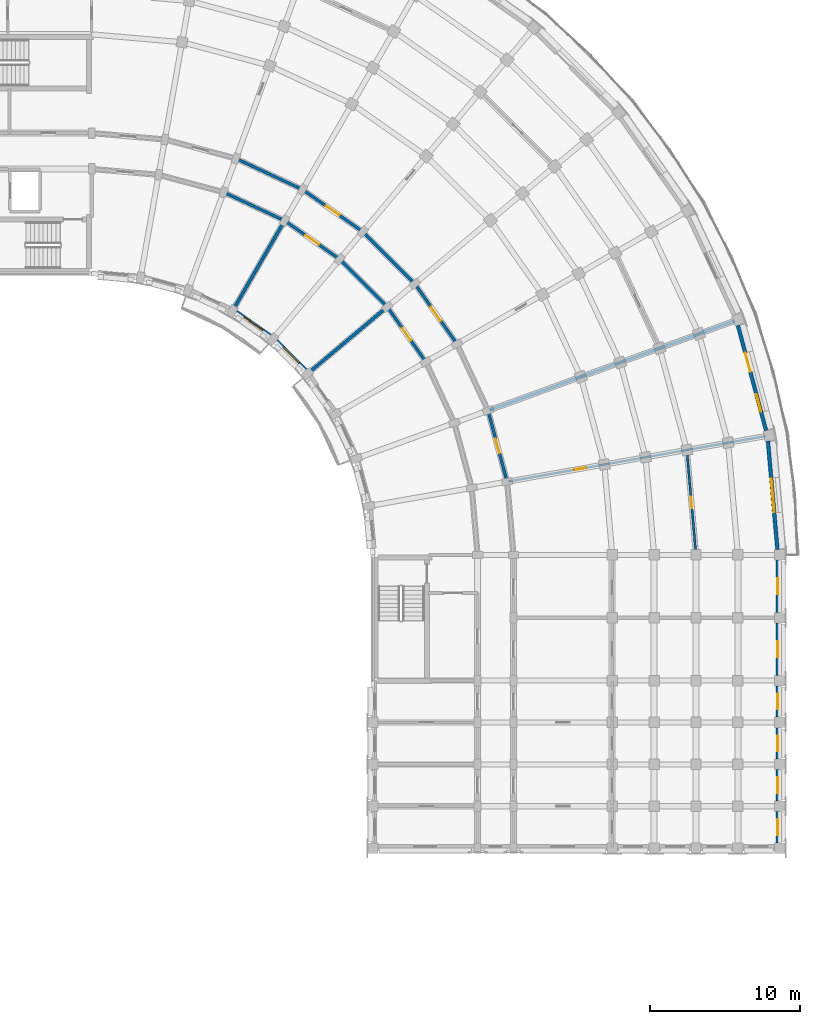
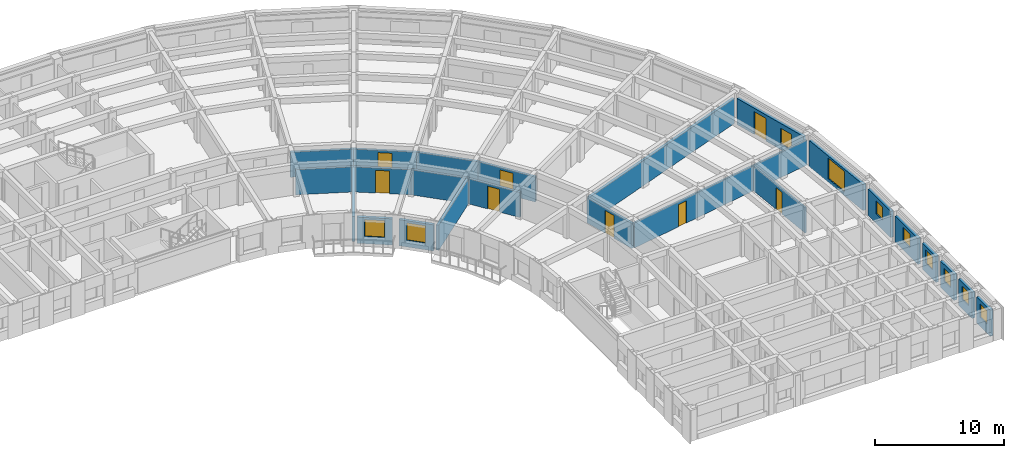
# One storey, part 35 of 57: 24 walls, 10 windows, 8 doors, 18 openings.
"""IFC4 building model written with IfcOpenShell, lengths in metres."""

from ifc_helpers import new_model, si_unit, direction, frame, frame_2d, origin, place, context, subcontext, project, spatial, rectangle, extrude, material, layer, layer_set, type_object, element, fill, save


model = new_model("IFC4")

# Units and contexts
model_context = context("Model", 3, precision=1e-05, world=origin(), true_north=direction((0.0, 1.0)))
body_context = subcontext(model_context, "Body", "Model", "MODEL_VIEW")
ifc_project = project(units=[si_unit("LENGTHUNIT", "METRE"), si_unit("AREAUNIT", "SQUARE_METRE"), si_unit("VOLUMEUNIT", "CUBIC_METRE"), si_unit("PLANEANGLEUNIT", "RADIAN"), si_unit("MASSUNIT", "GRAM", prefix="KILO")], contexts=[model_context])

# Site, building, storey
site_placement = place(None, origin())
site = spatial("IfcSite", under=ifc_project, at=site_placement, CompositionType="ELEMENT")
building_placement = place(site_placement, origin())
building = spatial("IfcBuilding", under=site, at=building_placement, Name="Kiranvali Square Residences", CompositionType="ELEMENT")
storey_placement = place(building_placement, frame((0.0, 0.0, 21.300048828125)))
storey = spatial("IfcBuildingStorey", under=building, at=storey_placement, Name="L06", CompositionType="ELEMENT", Elevation=21.300048828125)

# Walls
ifc_material_1 = material(Name="Autoclaved aerated concrete blockwork masonry", Category="masonry")
ifc_layer_1 = layer(ifc_material_1, 0.199951171875)
ifc_layer_set_1 = layer_set([ifc_layer_1], Name="Autoclaved aerated concrete blockwork masonry")
wall_type_1 = type_object("IfcWallType", Name="WL-COR-200", PredefinedType="STANDARD", material=ifc_layer_set_1)
wall_1_placement = place(storey_placement, frame((128.6240234375, 112.044189453125, 0.0), z_axis=(0.0, 0.0, 1.0), x_axis=(0.906307919131, -0.422617978463, 0.0)))
element("IfcWall", 1, at=wall_1_placement, inside=storey, type_object=wall_type_1, Name="L06 architectural wall WL-L06-B-CCI-2", PredefinedType="STANDARD", context=body_context, shape_type="SweptSolid", body=[
    extrude(rectangle(XDim=4.497314453125, YDim=0.199951171875, at=frame_2d((2.24853515625, 0.0))), origin(), (0.0, 0.0, 1.0), 2.3720703125),
])
wall_2_placement = place(storey_placement, frame((129.445068359375, 114.29931640625, 0.0), z_axis=(0.0, 0.0, 1.0), x_axis=(0.906302381024, -0.422629854778, 0.0)))
element("IfcWall", 2, at=wall_2_placement, inside=storey, type_object=wall_type_1, Name="L06 architectural wall WL-L06-B-CCO-2", PredefinedType="STANDARD", context=body_context, shape_type="SweptSolid", body=[
    extrude(rectangle(XDim=4.915283203125, YDim=0.199951171875, at=frame_2d((2.45751953125, 0.0))), origin(), (0.0, 0.0, 1.0), 2.3720703125),
])

# Wall, opening, door
wall_3_placement = place(storey_placement, frame((132.699951171875, 110.1435546875, 0.0), z_axis=(0.0, 0.0, 1.0), x_axis=(0.819155404658, -0.573571637217, 0.0)))
wall_3 = element("IfcWall", 3, at=wall_3_placement, inside=storey, type_object=wall_type_1, Name="L06 architectural wall WL-L06-B-CCI-3", PredefinedType="STANDARD", context=body_context, shape_type="SweptSolid", body=[
    extrude(rectangle(XDim=4.497314453125, YDim=0.199951171875, at=frame_2d((2.24853515625, 0.0))), origin(), (0.0, 0.0, 1.0), 2.3720703125),
])
opening_1_placement = place(wall_3_placement, frame((1.708740234375, 0.0, 0.0)))
opening_1 = element("IfcOpeningElement", 4, at=opening_1_placement, cuts=wall_3, Name="Opening FD-APT-60C", PredefinedType="OPENING", context=body_context, shape_type="SweptSolid", body=[
    extrude(rectangle(XDim=1.080078125, YDim=2.14990234375, at=frame_2d((0.5400390625, 1.074951171875))), frame((0.0, 0.10986328125, 0.0), z_axis=(0.0, -1.0, 0.0), x_axis=(1.0, 0.0, 0.0)), (0.0, 0.0, 1.0), 0.219970703125),
])
ifc_material_2 = material(Name="Fire-rated acoustic hardwood and mineral-core door assembly", Category="wood")
door_type_1 = type_object("IfcDoorType", Name="DR-APT-1080", OperationType="NOTDEFINED", PredefinedType="DOOR", material=ifc_material_2)
door_1_placement = place(opening_1_placement, frame((1.080078125, 0.0, 0.0), z_axis=(0.0, 0.0, 1.0), x_axis=(-1.0, 0.0, 0.0)))
door_1 = element("IfcDoor", 5, at=door_1_placement, inside=storey, type_object=door_type_1, Name="L06 door DR-L06-1368 (DR-APT-1080)", OperationType="SINGLE_SWING_RIGHT", OverallHeight=2.14990234375, OverallWidth=1.080078125, PredefinedType="DOOR", context=body_context, shape_type="SweptSolid", body=[
    extrude(rectangle(XDim=1.080078125, YDim=2.14990234375, at=frame_2d((0.5400390625, 1.074951171875))), frame((0.0, 0.02490234375, 0.0), z_axis=(0.0, -1.0, 0.0), x_axis=(1.0, 0.0, 0.0)), (0.0, 0.0, 1.0), 0.050048828125),
])
fill(opening_1, door_1)

wall_4_placement = place(storey_placement, frame((133.89990234375, 112.221923828125, 0.0), z_axis=(0.0, 0.0, 1.0), x_axis=(0.819140911474, -0.573592335331, 0.0)))
wall_4 = element("IfcWall", 6, at=wall_4_placement, inside=storey, type_object=wall_type_1, Name="L06 architectural wall WL-L06-B-CCO-3", PredefinedType="STANDARD", context=body_context, shape_type="SweptSolid", body=[
    extrude(rectangle(XDim=4.915771484375, YDim=0.199951171875, at=frame_2d((2.4580078125, 0.0))), origin(), (0.0, 0.0, 1.0), 2.3720703125),
])
opening_2_placement = place(wall_4_placement, frame((1.917724609375, 0.0, 0.0)))
opening_2 = element("IfcOpeningElement", 7, at=opening_2_placement, cuts=wall_4, Name="Opening FD-APT-60C", PredefinedType="OPENING", context=body_context, shape_type="SweptSolid", body=[
    extrude(rectangle(XDim=1.080078125, YDim=2.14990234375, at=frame_2d((0.5400390625, 1.074951171875))), frame((0.0, 0.10986328125, 0.0), z_axis=(0.0, -1.0, 0.0), x_axis=(1.0, 0.0, 0.0)), (0.0, 0.0, 1.0), 0.219970703125),
])
door_2_placement = place(opening_2_placement, origin())
door_2 = element("IfcDoor", 8, at=door_2_placement, inside=storey, type_object=door_type_1, Name="L06 door DR-L06-1361 (DR-APT-1080)", OperationType="SINGLE_SWING_LEFT", OverallHeight=2.14990234375, OverallWidth=1.080078125, PredefinedType="DOOR", context=body_context, shape_type="SweptSolid", body=[
    extrude(rectangle(XDim=1.080078125, YDim=2.14990234375, at=frame_2d((0.5400390625, 1.074951171875))), frame((0.0, 0.02490234375, 0.0), z_axis=(0.0, -1.0, 0.0), x_axis=(1.0, 0.0, 0.0)), (0.0, 0.0, 1.0), 0.050048828125),
])
fill(opening_2, door_2)

# Walls
wall_5_placement = place(storey_placement, frame((136.384033203125, 107.56396484375, 0.0), z_axis=(0.0, 0.0, 1.0), x_axis=(0.707106781187, -0.707106781187, 0.0)))
element("IfcWall", 9, at=wall_5_placement, inside=storey, type_object=wall_type_1, Name="L06 architectural wall WL-L06-B-CCI-4", PredefinedType="STANDARD", context=body_context, shape_type="SweptSolid", body=[
    extrude(rectangle(XDim=4.4970703125, YDim=0.199951171875, at=frame_2d((2.24853515625, 0.0))), origin(), (0.0, 0.0, 1.0), 2.3720703125),
])
wall_6_placement = place(storey_placement, frame((137.926513671875, 109.40234375, 0.0), z_axis=(0.0, 0.0, 1.0), x_axis=(0.707106781187, -0.707106781187, 0.0)))
element("IfcWall", 10, at=wall_6_placement, inside=storey, type_object=wall_type_1, Name="L06 architectural wall WL-L06-B-CCO-4", PredefinedType="STANDARD", context=body_context, shape_type="SweptSolid", body=[
    extrude(rectangle(XDim=4.91552734375, YDim=0.199951171875, at=frame_2d((2.457763671875, 0.0))), origin(), (0.0, 0.0, 1.0), 2.3720703125),
])

# Wall, opening, door
wall_7_placement = place(storey_placement, frame((139.56396484375, 104.384033203125, 0.0), z_axis=(0.0, 0.0, 1.0), x_axis=(0.573571637217, -0.819155404658, 0.0)))
wall_7 = element("IfcWall", 11, at=wall_7_placement, inside=storey, type_object=wall_type_1, Name="L06 architectural wall WL-L06-B-CCI-5", PredefinedType="STANDARD", context=body_context, shape_type="SweptSolid", body=[
    extrude(rectangle(XDim=4.497314453125, YDim=0.199951171875, at=frame_2d((2.24853515625, 0.0))), origin(), (0.0, 0.0, 1.0), 2.3720703125),
])
opening_3_placement = place(wall_7_placement, frame((1.74853515625, 0.0, 0.0)))
opening_3 = element("IfcOpeningElement", 12, at=opening_3_placement, cuts=wall_7, Name="Opening FD-APT-60", PredefinedType="OPENING", context=body_context, shape_type="SweptSolid", body=[
    extrude(rectangle(XDim=1.0, YDim=2.14990234375, at=frame_2d((0.5, 1.074951171875))), frame((0.0, 0.10986328125, 0.0), z_axis=(0.0, -1.0, 0.0), x_axis=(1.0, 0.0, 0.0)), (0.0, 0.0, 1.0), 0.219970703125),
])
door_type_2 = type_object("IfcDoorType", Name="DR-APT-1000", OperationType="NOTDEFINED", PredefinedType="DOOR", material=ifc_material_2)
door_3_placement = place(opening_3_placement, origin())
door_3 = element("IfcDoor", 13, at=door_3_placement, inside=storey, type_object=door_type_2, Name="L06 door DR-L06-1369 (DR-APT-1000)", OperationType="SINGLE_SWING_LEFT", OverallHeight=2.14990234375, OverallWidth=1.0, PredefinedType="DOOR", context=body_context, shape_type="SweptSolid", body=[
    extrude(rectangle(XDim=1.0, YDim=2.14990234375, at=frame_2d((0.5, 1.074951171875))), frame((0.0, 0.02490234375, 0.0), z_axis=(0.0, -1.0, 0.0), x_axis=(1.0, 0.0, 0.0)), (0.0, 0.0, 1.0), 0.050048828125),
])
fill(opening_3, door_3)

wall_8_placement = place(storey_placement, frame((141.40234375, 105.926513671875, 0.0), z_axis=(0.0, 0.0, 1.0), x_axis=(0.573592335331, -0.819140911474, 0.0)))
wall_8 = element("IfcWall", 14, at=wall_8_placement, inside=storey, type_object=wall_type_1, Name="L06 architectural wall WL-L06-B-CCO-5", PredefinedType="STANDARD", context=body_context, shape_type="SweptSolid", body=[
    extrude(rectangle(XDim=4.915771484375, YDim=0.199951171875, at=frame_2d((2.4580078125, 0.0))), origin(), (0.0, 0.0, 1.0), 2.3720703125),
])
opening_4_placement = place(wall_8_placement, frame((1.8876953125, 0.0, 0.0)))
opening_4 = element("IfcOpeningElement", 15, at=opening_4_placement, cuts=wall_8, Name="Opening FD-APT-60D", PredefinedType="OPENING", context=body_context, shape_type="SweptSolid", body=[
    extrude(rectangle(XDim=1.139892578125, YDim=2.14990234375, at=frame_2d((0.56982421875, 1.074951171875))), frame((0.0, 0.10986328125, 0.0), z_axis=(0.0, -1.0, 0.0), x_axis=(1.0, 0.0, 0.0)), (0.0, 0.0, 1.0), 0.219970703125),
])
door_type_3 = type_object("IfcDoorType", Name="DR-APT-1140", OperationType="NOTDEFINED", PredefinedType="DOOR", material=ifc_material_2)
door_4_placement = place(opening_4_placement, origin())
door_4 = element("IfcDoor", 16, at=door_4_placement, inside=storey, type_object=door_type_3, Name="L06 door DR-L06-1363 (DR-APT-1140)", OperationType="SINGLE_SWING_LEFT", OverallHeight=2.14990234375, OverallWidth=1.139892578125, PredefinedType="DOOR", context=body_context, shape_type="SweptSolid", body=[
    extrude(rectangle(XDim=1.139892578125, YDim=2.14990234375, at=frame_2d((0.56982421875, 1.074951171875))), frame((0.0, 0.02490234375, 0.0), z_axis=(0.0, -1.0, 0.0), x_axis=(1.0, 0.0, 0.0)), (0.0, 0.0, 1.0), 0.050048828125),
])
fill(opening_4, door_4)

wall_9_placement = place(storey_placement, frame((146.29931640625, 97.445068359375, 0.0), z_axis=(0.0, 0.0, 1.0), x_axis=(0.258803112091, -0.965930095386, 0.0)))
wall_9 = element("IfcWall", 17, at=wall_9_placement, inside=storey, type_object=wall_type_1, Name="L06 architectural wall WL-L06-B-CCO-7", PredefinedType="STANDARD", context=body_context, shape_type="SweptSolid", body=[
    extrude(rectangle(XDim=4.915771484375, YDim=0.199951171875, at=frame_2d((2.4580078125, 0.0))), origin(), (0.0, 0.0, 1.0), 2.3720703125),
])
opening_5_placement = place(wall_9_placement, frame((1.957763671875, 0.0, 0.0)))
opening_5 = element("IfcOpeningElement", 18, at=opening_5_placement, cuts=wall_9, Name="Opening FD-APT-60", PredefinedType="OPENING", context=body_context, shape_type="SweptSolid", body=[
    extrude(rectangle(XDim=1.0, YDim=2.14990234375, at=frame_2d((0.5, 1.074951171875))), frame((0.0, 0.10986328125, 0.0), z_axis=(0.0, -1.0, 0.0), x_axis=(1.0, 0.0, 0.0)), (0.0, 0.0, 1.0), 0.219970703125),
])
door_5_placement = place(opening_5_placement, origin())
door_5 = element("IfcDoor", 19, at=door_5_placement, inside=storey, type_object=door_type_2, Name="L06 door DR-L06-1365 (DR-APT-1000)", OperationType="SINGLE_SWING_LEFT", OverallHeight=2.14990234375, OverallWidth=1.0, PredefinedType="DOOR", context=body_context, shape_type="SweptSolid", body=[
    extrude(rectangle(XDim=1.0, YDim=2.14990234375, at=frame_2d((0.5, 1.074951171875))), frame((0.0, 0.02490234375, 0.0), z_axis=(0.0, -1.0, 0.0), x_axis=(1.0, 0.0, 0.0)), (0.0, 0.0, 1.0), 0.050048828125),
])
fill(opening_5, door_5)

# Walls
ifc_layer_2 = layer(ifc_material_1, 0.219970703125)
ifc_layer_set_2 = layer_set([ifc_layer_2], Name="Autoclaved aerated concrete blockwork masonry")
wall_type_2 = type_object("IfcWallType", Name="WL-DEM-220", PredefinedType="STANDARD", material=ifc_layer_set_2)
for number, where, z_axis, x_axis, name in (
    (20, (129.300048828125, 104.25439453125, 0.0), (0.0, 0.0, 1.0), (0.499997969693, 0.866026575979, 0.0), "L06 architectural wall WL-L06-B-RADI-3"),
    (21, (134.354736328125, 100.012939453125, 0.0), (0.0, 0.0, 1.0), (0.766046761698, 0.642784846501, 0.0), "L06 architectural wall WL-L06-B-RADI-5"),
):
    element("IfcWall", number, at=place(storey_placement, frame(where, z_axis=z_axis, x_axis=x_axis)), inside=storey, type_object=wall_type_2, Name=name, PredefinedType="STANDARD", context=body_context, shape_type="SweptSolid", body=[
        extrude(rectangle(XDim=6.75, YDim=0.219970703125, at=frame_2d((3.375, 0.0))), origin(), (0.0, 0.0, 1.0), 2.3720703125),
    ])
wall_10_placement = place(storey_placement, frame((146.393310546875, 97.479248046875, 0.0), z_axis=(0.0, 0.0, 1.0), x_axis=(0.939691901159, 0.342022120477, 0.0)))
element("IfcWall", 22, at=wall_10_placement, inside=storey, type_object=wall_type_2, Name="L06 architectural wall WL-L06-B-RADO-7", PredefinedType="STANDARD", context=body_context, shape_type="SweptSolid", body=[
    extrude(rectangle(XDim=17.419921875, YDim=0.219970703125, at=frame_2d((8.7099609375, 0.0))), origin(), (0.0, 0.0, 1.0), 2.3720703125),
])

# Wall, openings, door, window
ifc_material_3 = material(Name="Breathable lime-rendered clay brick masonry", Category="masonry")
ifc_layer_3 = layer(ifc_material_3, 0.25)
ifc_layer_set_3 = layer_set([ifc_layer_3], Name="Breathable lime-rendered clay brick masonry")
wall_type_3 = type_object("IfcWallType", Name="WL-EXT-250", PredefinedType="STANDARD", material=ifc_layer_set_3)
wall_11_placement = place(storey_placement, frame((163.00244140625, 103.137451171875, 0.0), z_axis=(0.0, 0.0, 1.0), x_axis=(0.258802140196, -0.965930355787, 0.0)))
wall_11 = element("IfcWall", 23, at=wall_11_placement, inside=storey, type_object=wall_type_3, Name="L06 exterior wall B-L06-CRV-07", PredefinedType="STANDARD", context=body_context, shape_type="SweptSolid", body=[
    extrude(rectangle(XDim=7.2666015625, YDim=0.25, at=frame_2d((3.63330078125, 0.0))), origin(), (0.0, 0.0, 1.0), 2.471923828125),
])
opening_6_placement = place(wall_11_placement, frame((4.765625, 0.0, 0.52197265625)))
opening_6 = element("IfcOpeningElement", 24, at=opening_6_placement, cuts=wall_11, Name="Opening W-06", PredefinedType="OPENING", context=body_context, shape_type="SweptSolid", body=[
    extrude(rectangle(XDim=1.199951171875, YDim=1.5, at=frame_2d((0.60009765625, 0.75))), frame((0.0, 0.135009765625, 0.0), z_axis=(0.0, -1.0, 0.0), x_axis=(1.0, 0.0, 0.0)), (0.0, 0.0, 1.0), 0.27001953125),
])
opening_7_placement = place(wall_11_placement, frame((1.88330078125, 0.0, 0.0)))
opening_7 = element("IfcOpeningElement", 25, at=opening_7_placement, cuts=wall_11, Name="Opening ED-BAL-3", PredefinedType="OPENING", context=body_context, shape_type="SweptSolid", body=[
    extrude(rectangle(XDim=1.320068359375, YDim=2.14990234375, at=frame_2d((0.66015625, 1.074951171875))), frame((0.0, 0.135009765625, 0.0), z_axis=(0.0, -1.0, 0.0), x_axis=(1.0, 0.0, 0.0)), (0.0, 0.0, 1.0), 0.27001953125),
])
ifc_material_4 = material(Name="Anodised bronze aluminium framing", Category="aluminium")
door_type_4 = type_object("IfcDoorType", Name="DR-BAL-1320", OperationType="NOTDEFINED", PredefinedType="DOOR", material=ifc_material_4)
door_6_placement = place(opening_7_placement, origin())
door_6 = element("IfcDoor", 26, at=door_6_placement, inside=storey, type_object=door_type_4, Name="L06 balcony terrace door", OperationType="SINGLE_SWING_LEFT", OverallHeight=2.14990234375, OverallWidth=1.320068359375, PredefinedType="DOOR", context=body_context, shape_type="SweptSolid", body=[
    extrude(rectangle(XDim=1.320068359375, YDim=2.14990234375, at=frame_2d((0.66015625, 1.074951171875))), frame((0.0, 0.02490234375, 0.0), z_axis=(0.0, -1.0, 0.0), x_axis=(1.0, 0.0, 0.0)), (0.0, 0.0, 1.0), 0.050048828125),
])
fill(opening_7, door_6)
ifc_material_5 = material(Name="Solar-control low-e double glazing", Category="glass")
window_type_1 = type_object("IfcWindowType", Name="WIN-RES-1200x1500", PartitioningType="SINGLE_PANEL", PredefinedType="WINDOW", material=ifc_material_5)
window_1_placement = place(opening_6_placement, origin())
window_1 = element("IfcWindow", 27, at=window_1_placement, inside=storey, type_object=window_type_1, Name="L06 recessed window B-L06-CRV-07", OverallHeight=1.5, OverallWidth=1.199951171875, PartitioningType="SINGLE_PANEL", PredefinedType="WINDOW", context=body_context, shape_type="SweptSolid", body=[
    extrude(rectangle(XDim=1.199951171875, YDim=1.5, at=frame_2d((0.60009765625, 0.75))), frame((0.0, 0.030029296875, 0.0), z_axis=(0.0, -1.0, 0.0), x_axis=(1.0, 0.0, 0.0)), (0.0, 0.0, 1.0), 0.06005859375),
])
fill(opening_6, window_1)

# Wall, opening, window
wall_12_placement = place(storey_placement, frame((165.00927734375, 95.402587890625, 0.0), z_axis=(0.0, 0.0, 1.0), x_axis=(0.08718487158, -0.99619214922, 0.0)))
wall_12 = element("IfcWall", 28, at=wall_12_placement, inside=storey, type_object=wall_type_3, Name="L06 exterior wall B-L06-CRV-08", PredefinedType="STANDARD", context=body_context, shape_type="SweptSolid", body=[
    extrude(rectangle(XDim=7.2666015625, YDim=0.25, at=frame_2d((3.63330078125, 0.0))), origin(), (0.0, 0.0, 1.0), 2.471923828125),
])
opening_8_placement = place(wall_12_placement, frame((2.50830078125, 0.0, 0.322021484375)))
opening_8 = element("IfcOpeningElement", 29, at=opening_8_placement, cuts=wall_12, Name="Opening W-11", PredefinedType="OPENING", context=body_context, shape_type="SweptSolid", body=[
    extrude(rectangle(XDim=2.25, YDim=1.949951171875, at=frame_2d((1.125, 0.97509765625))), frame((0.0, 0.135009765625, 0.0), z_axis=(0.0, -1.0, 0.0), x_axis=(1.0, 0.0, 0.0)), (0.0, 0.0, 1.0), 0.27001953125),
])
window_type_2 = type_object("IfcWindowType", Name="WIN-RES-2250x1950", PartitioningType="TRIPLE_PANEL_VERTICAL", PredefinedType="WINDOW", material=ifc_material_5)
window_2_placement = place(opening_8_placement, origin())
window_2 = element("IfcWindow", 30, at=window_2_placement, inside=storey, type_object=window_type_2, Name="L06 recessed window B-L06-CRV-08", OverallHeight=1.949951171875, OverallWidth=2.25, PartitioningType="TRIPLE_PANEL_VERTICAL", PredefinedType="WINDOW", context=body_context, shape_type="SweptSolid", body=[
    extrude(rectangle(XDim=2.25, YDim=1.949951171875, at=frame_2d((1.125, 0.97509765625))), frame((0.0, 0.030029296875, 0.0), z_axis=(0.0, -1.0, 0.0), x_axis=(1.0, 0.0, 0.0)), (0.0, 0.0, 1.0), 0.06005859375),
])
fill(opening_8, window_2)

wall_13_placement = place(storey_placement, frame((129.4794921875, 104.038330078125, 0.0), z_axis=(0.0, 0.0, 1.0), x_axis=(0.819111815273, -0.573633885053, 0.0)))
wall_13 = element("IfcWall", 31, at=wall_13_placement, inside=storey, type_object=wall_type_3, Name="L06 exterior wall B-L06-GDN-03", PredefinedType="STANDARD", context=body_context, shape_type="SweptSolid", body=[
    extrude(rectangle(XDim=2.769775390625, YDim=0.25, at=frame_2d((1.384765625, 0.0))), origin(), (0.0, 0.0, 1.0), 2.471923828125),
])
opening_9_placement = place(wall_13_placement, frame((0.60986328125, 0.0, 0.672119140625)))
opening_9 = element("IfcOpeningElement", 32, at=opening_9_placement, cuts=wall_13, Name="Opening W-18", PredefinedType="OPENING", context=body_context, shape_type="SweptSolid", body=[
    extrude(rectangle(XDim=1.550048828125, YDim=1.60009765625, at=frame_2d((0.77490234375, 0.800048828125))), frame((0.0, 0.135009765625, 0.0), z_axis=(0.0, -1.0, 0.0), x_axis=(1.0, 0.0, 0.0)), (0.0, 0.0, 1.0), 0.27001953125),
])
window_type_3 = type_object("IfcWindowType", Name="WIN-GDN-1550x1600", PartitioningType="DOUBLE_PANEL_VERTICAL", PredefinedType="WINDOW", material=ifc_material_5)
window_3_placement = place(opening_9_placement, origin())
window_3 = element("IfcWindow", 33, at=window_3_placement, inside=storey, type_object=window_type_3, Name="L06 recessed window B-L06-GDN-03", OverallHeight=1.60009765625, OverallWidth=1.550048828125, PartitioningType="DOUBLE_PANEL_VERTICAL", PredefinedType="WINDOW", context=body_context, shape_type="SweptSolid", body=[
    extrude(rectangle(XDim=1.550048828125, YDim=1.60009765625, at=frame_2d((0.77490234375, 0.800048828125))), frame((0.0, 0.030029296875, 0.0), z_axis=(0.0, -1.0, 0.0), x_axis=(1.0, 0.0, 0.0)), (0.0, 0.0, 1.0), 0.06005859375),
])
fill(opening_9, window_3)

wall_14_placement = place(storey_placement, frame((132.152099609375, 102.11083984375, 0.0), z_axis=(0.0, 0.0, 1.0), x_axis=(0.707106781187, -0.707106781187, 0.0)))
wall_14 = element("IfcWall", 34, at=wall_14_placement, inside=storey, type_object=wall_type_3, Name="L06 exterior wall B-L06-GDN-04", PredefinedType="STANDARD", context=body_context, shape_type="SweptSolid", body=[
    extrude(rectangle(XDim=2.77001953125, YDim=0.25, at=frame_2d((1.385009765625, 0.0))), origin(), (0.0, 0.0, 1.0), 2.471923828125),
])
opening_10_placement = place(wall_14_placement, frame((0.635009765625, 0.0, 0.6220703125)))
opening_10 = element("IfcOpeningElement", 35, at=opening_10_placement, cuts=wall_14, Name="Opening W-05", PredefinedType="OPENING", context=body_context, shape_type="SweptSolid", body=[
    extrude(rectangle(XDim=1.5, YDim=1.64990234375, at=frame_2d((0.75, 0.824951171875))), frame((0.0, 0.135009765625, 0.0), z_axis=(0.0, -1.0, 0.0), x_axis=(1.0, 0.0, 0.0)), (0.0, 0.0, 1.0), 0.27001953125),
])
window_type_4 = type_object("IfcWindowType", Name="WIN-RES-1500x1650", PartitioningType="DOUBLE_PANEL_VERTICAL", PredefinedType="WINDOW", material=ifc_material_5)
window_4_placement = place(opening_10_placement, origin())
window_4 = element("IfcWindow", 36, at=window_4_placement, inside=storey, type_object=window_type_4, Name="L06 recessed window B-L06-GDN-04", OverallHeight=1.64990234375, OverallWidth=1.5, PartitioningType="DOUBLE_PANEL_VERTICAL", PredefinedType="WINDOW", context=body_context, shape_type="SweptSolid", body=[
    extrude(rectangle(XDim=1.5, YDim=1.64990234375, at=frame_2d((0.75, 0.824951171875))), frame((0.0, 0.030029296875, 0.0), z_axis=(0.0, -1.0, 0.0), x_axis=(1.0, 0.0, 0.0)), (0.0, 0.0, 1.0), 0.06005859375),
])
fill(opening_10, window_4)

wall_15_placement = place(storey_placement, frame((165.675048828125, 87.446533203125, 0.0), z_axis=(0.0, 0.0, 1.0), x_axis=(0.0, -1.0, 0.0)))
wall_15 = element("IfcWall", 37, at=wall_15_placement, inside=storey, type_object=wall_type_3, Name="L06 exterior wall B-L06-A2O-0", PredefinedType="STANDARD", context=body_context, shape_type="SweptSolid", body=[
    extrude(rectangle(XDim=3.492919921875, YDim=0.25, at=frame_2d((1.74658203125, 0.0))), origin(), (0.0, 0.0, 1.0), 2.471923828125),
])
opening_11_placement = place(wall_15_placement, frame((1.221435546875, 0.0, 0.8798828125)))
opening_11 = element("IfcOpeningElement", 38, at=opening_11_placement, cuts=wall_15, Name="Opening W-24", PredefinedType="OPENING", context=body_context, shape_type="SweptSolid", body=[
    extrude(rectangle(XDim=1.050048828125, YDim=1.25, at=frame_2d((0.52490234375, 0.625))), frame((0.0, 0.135009765625, 0.0), z_axis=(0.0, -1.0, 0.0), x_axis=(1.0, 0.0, 0.0)), (0.0, 0.0, 1.0), 0.27001953125),
])
window_type_5 = type_object("IfcWindowType", Name="WIN-COR-1050x1250", PartitioningType="SINGLE_PANEL", PredefinedType="WINDOW", material=ifc_material_5)
window_5_placement = place(opening_11_placement, origin())
window_5 = element("IfcWindow", 39, at=window_5_placement, inside=storey, type_object=window_type_5, Name="L06 recessed window B-L06-A2O-0", OverallHeight=1.25, OverallWidth=1.050048828125, PartitioningType="SINGLE_PANEL", PredefinedType="WINDOW", context=body_context, shape_type="SweptSolid", body=[
    extrude(rectangle(XDim=1.050048828125, YDim=1.25, at=frame_2d((0.52490234375, 0.625))), frame((0.0, 0.030029296875, 0.0), z_axis=(0.0, -1.0, 0.0), x_axis=(1.0, 0.0, 0.0)), (0.0, 0.0, 1.0), 0.06005859375),
])
fill(opening_11, window_5)

wall_16_placement = place(storey_placement, frame((165.675048828125, 83.24658203125, 0.0), z_axis=(0.0, 0.0, 1.0), x_axis=(0.0, -1.0, 0.0)))
wall_16 = element("IfcWall", 40, at=wall_16_placement, inside=storey, type_object=wall_type_3, Name="L06 exterior wall B-L06-A2O-1", PredefinedType="STANDARD", context=body_context, shape_type="SweptSolid", body=[
    extrude(rectangle(XDim=3.4931640625, YDim=0.25, at=frame_2d((1.74658203125, 0.0))), origin(), (0.0, 0.0, 1.0), 2.471923828125),
])
opening_12_placement = place(wall_16_placement, frame((1.221435546875, 0.0, 0.8798828125)))
opening_12 = element("IfcOpeningElement", 41, at=opening_12_placement, cuts=wall_16, Name="Opening W-24", PredefinedType="OPENING", context=body_context, shape_type="SweptSolid", body=[
    extrude(rectangle(XDim=1.050048828125, YDim=1.25, at=frame_2d((0.52490234375, 0.625))), frame((0.0, 0.135009765625, 0.0), z_axis=(0.0, -1.0, 0.0), x_axis=(1.0, 0.0, 0.0)), (0.0, 0.0, 1.0), 0.27001953125),
])
window_6_placement = place(opening_12_placement, origin())
window_6 = element("IfcWindow", 42, at=window_6_placement, inside=storey, type_object=window_type_5, Name="L06 recessed window B-L06-A2O-1", OverallHeight=1.25, OverallWidth=1.050048828125, PartitioningType="SINGLE_PANEL", PredefinedType="WINDOW", context=body_context, shape_type="SweptSolid", body=[
    extrude(rectangle(XDim=1.050048828125, YDim=1.25, at=frame_2d((0.52490234375, 0.625))), frame((0.0, 0.030029296875, 0.0), z_axis=(0.0, -1.0, 0.0), x_axis=(1.0, 0.0, 0.0)), (0.0, 0.0, 1.0), 0.06005859375),
])
fill(opening_12, window_6)

wall_17_placement = place(storey_placement, frame((165.675048828125, 79.04638671875, 0.0), z_axis=(0.0, 0.0, 1.0), x_axis=(0.0, -1.0, 0.0)))
wall_17 = element("IfcWall", 43, at=wall_17_placement, inside=storey, type_object=wall_type_3, Name="L06 exterior wall B-L06-A2O-2", PredefinedType="STANDARD", context=body_context, shape_type="SweptSolid", body=[
    extrude(rectangle(XDim=2.0927734375, YDim=0.25, at=frame_2d((1.04638671875, 0.0))), origin(), (0.0, 0.0, 1.0), 2.471923828125),
])
opening_13_placement = place(wall_17_placement, frame((0.521484375, 0.0, 0.8798828125)))
opening_13 = element("IfcOpeningElement", 44, at=opening_13_placement, cuts=wall_17, Name="Opening W-24", PredefinedType="OPENING", context=body_context, shape_type="SweptSolid", body=[
    extrude(rectangle(XDim=1.050048828125, YDim=1.25, at=frame_2d((0.52490234375, 0.625))), frame((0.0, 0.135009765625, 0.0), z_axis=(0.0, -1.0, 0.0), x_axis=(1.0, 0.0, 0.0)), (0.0, 0.0, 1.0), 0.27001953125),
])
window_7_placement = place(opening_13_placement, origin())
window_7 = element("IfcWindow", 45, at=window_7_placement, inside=storey, type_object=window_type_5, Name="L06 recessed window B-L06-A2O-2", OverallHeight=1.25, OverallWidth=1.050048828125, PartitioningType="SINGLE_PANEL", PredefinedType="WINDOW", context=body_context, shape_type="SweptSolid", body=[
    extrude(rectangle(XDim=1.050048828125, YDim=1.25, at=frame_2d((0.52490234375, 0.625))), frame((0.0, 0.030029296875, 0.0), z_axis=(0.0, -1.0, 0.0), x_axis=(1.0, 0.0, 0.0)), (0.0, 0.0, 1.0), 0.06005859375),
])
fill(opening_13, window_7)

wall_18_placement = place(storey_placement, frame((165.675048828125, 76.24658203125, 0.0), z_axis=(0.0, 0.0, 1.0), x_axis=(0.0, -1.0, 0.0)))
wall_18 = element("IfcWall", 46, at=wall_18_placement, inside=storey, type_object=wall_type_3, Name="L06 exterior wall B-L06-A2O-3", PredefinedType="STANDARD", context=body_context, shape_type="SweptSolid", body=[
    extrude(rectangle(XDim=2.093017578125, YDim=0.25, at=frame_2d((1.04638671875, 0.0))), origin(), (0.0, 0.0, 1.0), 2.471923828125),
])
opening_14_placement = place(wall_18_placement, frame((0.521484375, 0.0, 0.8798828125)))
opening_14 = element("IfcOpeningElement", 47, at=opening_14_placement, cuts=wall_18, Name="Opening W-24", PredefinedType="OPENING", context=body_context, shape_type="SweptSolid", body=[
    extrude(rectangle(XDim=1.050048828125, YDim=1.25, at=frame_2d((0.52490234375, 0.625))), frame((0.0, 0.135009765625, 0.0), z_axis=(0.0, -1.0, 0.0), x_axis=(1.0, 0.0, 0.0)), (0.0, 0.0, 1.0), 0.27001953125),
])
window_8_placement = place(opening_14_placement, origin())
window_8 = element("IfcWindow", 48, at=window_8_placement, inside=storey, type_object=window_type_5, Name="L06 recessed window B-L06-A2O-3", OverallHeight=1.25, OverallWidth=1.050048828125, PartitioningType="SINGLE_PANEL", PredefinedType="WINDOW", context=body_context, shape_type="SweptSolid", body=[
    extrude(rectangle(XDim=1.050048828125, YDim=1.25, at=frame_2d((0.52490234375, 0.625))), frame((0.0, 0.030029296875, 0.0), z_axis=(0.0, -1.0, 0.0), x_axis=(1.0, 0.0, 0.0)), (0.0, 0.0, 1.0), 0.06005859375),
])
fill(opening_14, window_8)

wall_19_placement = place(storey_placement, frame((165.675048828125, 73.446533203125, 0.0), z_axis=(0.0, 0.0, 1.0), x_axis=(0.0, -1.0, 0.0)))
wall_19 = element("IfcWall", 49, at=wall_19_placement, inside=storey, type_object=wall_type_3, Name="L06 exterior wall B-L06-A2O-4", PredefinedType="STANDARD", context=body_context, shape_type="SweptSolid", body=[
    extrude(rectangle(XDim=2.093017578125, YDim=0.25, at=frame_2d((1.04638671875, 0.0))), origin(), (0.0, 0.0, 1.0), 2.471923828125),
])
opening_15_placement = place(wall_19_placement, frame((0.521484375, 0.0, 0.8798828125)))
opening_15 = element("IfcOpeningElement", 50, at=opening_15_placement, cuts=wall_19, Name="Opening W-24", PredefinedType="OPENING", context=body_context, shape_type="SweptSolid", body=[
    extrude(rectangle(XDim=1.050048828125, YDim=1.25, at=frame_2d((0.52490234375, 0.625))), frame((0.0, 0.135009765625, 0.0), z_axis=(0.0, -1.0, 0.0), x_axis=(1.0, 0.0, 0.0)), (0.0, 0.0, 1.0), 0.27001953125),
])
window_9_placement = place(opening_15_placement, origin())
window_9 = element("IfcWindow", 51, at=window_9_placement, inside=storey, type_object=window_type_5, Name="L06 recessed window B-L06-A2O-4", OverallHeight=1.25, OverallWidth=1.050048828125, PartitioningType="SINGLE_PANEL", PredefinedType="WINDOW", context=body_context, shape_type="SweptSolid", body=[
    extrude(rectangle(XDim=1.050048828125, YDim=1.25, at=frame_2d((0.52490234375, 0.625))), frame((0.0, 0.030029296875, 0.0), z_axis=(0.0, -1.0, 0.0), x_axis=(1.0, 0.0, 0.0)), (0.0, 0.0, 1.0), 0.06005859375),
])
fill(opening_15, window_9)

wall_20_placement = place(storey_placement, frame((165.675048828125, 70.646484375, 0.0), z_axis=(0.0, 0.0, 1.0), x_axis=(0.0, -1.0, 0.0)))
wall_20 = element("IfcWall", 52, at=wall_20_placement, inside=storey, type_object=wall_type_3, Name="L06 exterior wall B-L06-A2O-5", PredefinedType="STANDARD", context=body_context, shape_type="SweptSolid", body=[
    extrude(rectangle(XDim=2.093017578125, YDim=0.25, at=frame_2d((1.04638671875, 0.0))), origin(), (0.0, 0.0, 1.0), 2.471923828125),
])
opening_16_placement = place(wall_20_placement, frame((0.521484375, 0.0, 0.8798828125)))
opening_16 = element("IfcOpeningElement", 53, at=opening_16_placement, cuts=wall_20, Name="Opening W-24", PredefinedType="OPENING", context=body_context, shape_type="SweptSolid", body=[
    extrude(rectangle(XDim=1.050048828125, YDim=1.25, at=frame_2d((0.52490234375, 0.625))), frame((0.0, 0.135009765625, 0.0), z_axis=(0.0, -1.0, 0.0), x_axis=(1.0, 0.0, 0.0)), (0.0, 0.0, 1.0), 0.27001953125),
])
window_10_placement = place(opening_16_placement, origin())
window_10 = element("IfcWindow", 54, at=window_10_placement, inside=storey, type_object=window_type_5, Name="L06 recessed window B-L06-A2O-5", OverallHeight=1.25, OverallWidth=1.050048828125, PartitioningType="SINGLE_PANEL", PredefinedType="WINDOW", context=body_context, shape_type="SweptSolid", body=[
    extrude(rectangle(XDim=1.050048828125, YDim=1.25, at=frame_2d((0.52490234375, 0.625))), frame((0.0, 0.030029296875, 0.0), z_axis=(0.0, -1.0, 0.0), x_axis=(1.0, 0.0, 0.0)), (0.0, 0.0, 1.0), 0.06005859375),
])
fill(opening_16, window_10)

# Wall, opening, door
ifc_material_6 = material(Name="Acoustic gypsum board drylined partition", Category="gypsum")
ifc_layer_4 = layer(ifc_material_6, 0.14990234375)
ifc_layer_set_4 = layer_set([ifc_layer_4], Name="Acoustic gypsum board drylined partition")
wall_type_4 = type_object("IfcWallType", Name="WL-PRT-150", PredefinedType="PARTITIONING", material=ifc_layer_set_4)
wall_21_placement = place(storey_placement, frame((147.670166015625, 92.71435546875, 0.0), z_axis=(0.0, 0.0, 1.0), x_axis=(0.984808098809, 0.173646216546, 0.0)))
wall_21 = element("IfcWall", 55, at=wall_21_placement, inside=storey, type_object=wall_type_4, Name="L06 architectural wall WL-L06-B-RADO-8", PredefinedType="PARTITIONING", context=body_context, shape_type="SweptSolid", body=[
    extrude(rectangle(XDim=17.419921875, YDim=0.14990234375, at=frame_2d((8.7099609375, 0.0))), origin(), (0.0, 0.0, 1.0), 2.3720703125),
])
opening_17_placement = place(wall_21_placement, frame((4.44970703125, 0.0, 0.0)))
opening_17 = element("IfcOpeningElement", 56, at=opening_17_placement, cuts=wall_21, Name="Opening ID-WET", PredefinedType="OPENING", context=body_context, shape_type="SweptSolid", body=[
    extrude(rectangle(XDim=0.800048828125, YDim=2.10009765625, at=frame_2d((0.39990234375, 1.050048828125))), frame((0.0, 0.0849609375, 0.0), z_axis=(0.0, -1.0, 0.0), x_axis=(1.0, 0.0, 0.0)), (0.0, 0.0, 1.0), 0.169921875),
])
ifc_material_7 = material(Name="Solid seasoned teak hardwood joinery", Category="wood")
door_type_5 = type_object("IfcDoorType", Name="DR-WET-800", OperationType="NOTDEFINED", PredefinedType="DOOR", material=ifc_material_7)
door_7_placement = place(opening_17_placement, origin())
door_7 = element("IfcDoor", 57, at=door_7_placement, inside=storey, type_object=door_type_5, Name="L06 door DR-L06-1357 (DR-WET-800)", OperationType="SINGLE_SWING_LEFT", OverallHeight=2.10009765625, OverallWidth=0.800048828125, PredefinedType="DOOR", context=body_context, shape_type="SweptSolid", body=[
    extrude(rectangle(XDim=0.800048828125, YDim=2.10009765625, at=frame_2d((0.39990234375, 1.050048828125))), frame((0.0, 0.02490234375, 0.0), z_axis=(0.0, -1.0, 0.0), x_axis=(1.0, 0.0, 0.0)), (0.0, 0.0, 1.0), 0.050048828125),
])
fill(opening_17, door_7)

ifc_layer_5 = layer(ifc_material_1, 0.14990234375)
ifc_layer_set_5 = layer_set([ifc_layer_5], Name="Autoclaved aerated concrete blockwork masonry")
wall_type_5 = type_object("IfcWallType", Name="WL-WET-150", PredefinedType="PLUMBINGWALL", material=ifc_layer_set_5)
wall_22_placement = place(storey_placement, frame((159.586181640625, 94.8154296875, 0.0), z_axis=(0.0, 0.0, 1.0), x_axis=(0.087156198737, -0.996194658198, 0.0)))
wall_22 = element("IfcWall", 58, at=wall_22_placement, inside=storey, type_object=wall_type_5, Name="L06 architectural wall WL-L06-B-CWET-8", PredefinedType="PLUMBINGWALL", context=body_context, shape_type="SweptSolid", body=[
    extrude(rectangle(XDim=7.042236328125, YDim=0.14990234375, at=frame_2d((3.52099609375, 0.0))), origin(), (0.0, 0.0, 1.0), 2.3720703125),
])
opening_18_placement = place(wall_22_placement, frame((3.14111328125, 0.0, 0.0)))
opening_18 = element("IfcOpeningElement", 59, at=opening_18_placement, cuts=wall_22, Name="Opening ID-WET0", PredefinedType="OPENING", context=body_context, shape_type="SweptSolid", body=[
    extrude(rectangle(XDim=0.760009765625, YDim=2.050048828125, at=frame_2d((0.3798828125, 1.02490234375))), frame((0.0, 0.0849609375, 0.0), z_axis=(0.0, -1.0, 0.0), x_axis=(1.0, 0.0, 0.0)), (0.0, 0.0, 1.0), 0.169921875),
])
door_type_6 = type_object("IfcDoorType", Name="DR-WET-760", OperationType="NOTDEFINED", PredefinedType="DOOR", material=ifc_material_7)
door_8_placement = place(opening_18_placement, frame((0.760009765625, 0.0, 0.0), z_axis=(0.0, 0.0, 1.0), x_axis=(-1.0, 0.0, 0.0)))
door_8 = element("IfcDoor", 60, at=door_8_placement, inside=storey, type_object=door_type_6, Name="L06 door DR-L06-1366 (DR-WET-760)", OperationType="SINGLE_SWING_RIGHT", OverallHeight=2.050048828125, OverallWidth=0.760009765625, PredefinedType="DOOR", context=body_context, shape_type="SweptSolid", body=[
    extrude(rectangle(XDim=0.760009765625, YDim=2.050048828125, at=frame_2d((0.3798828125, 1.02490234375))), frame((0.0, 0.02490234375, 0.0), z_axis=(0.0, -1.0, 0.0), x_axis=(1.0, 0.0, 0.0)), (0.0, 0.0, 1.0), 0.050048828125),
])
fill(opening_18, door_8)

save(model, "model.ifc")
